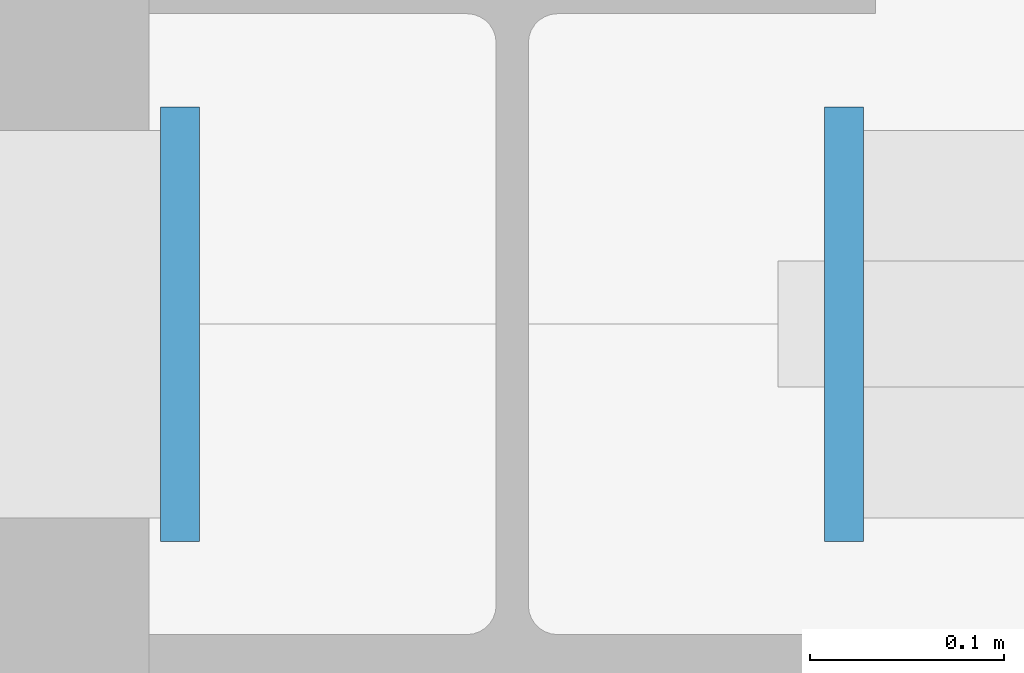
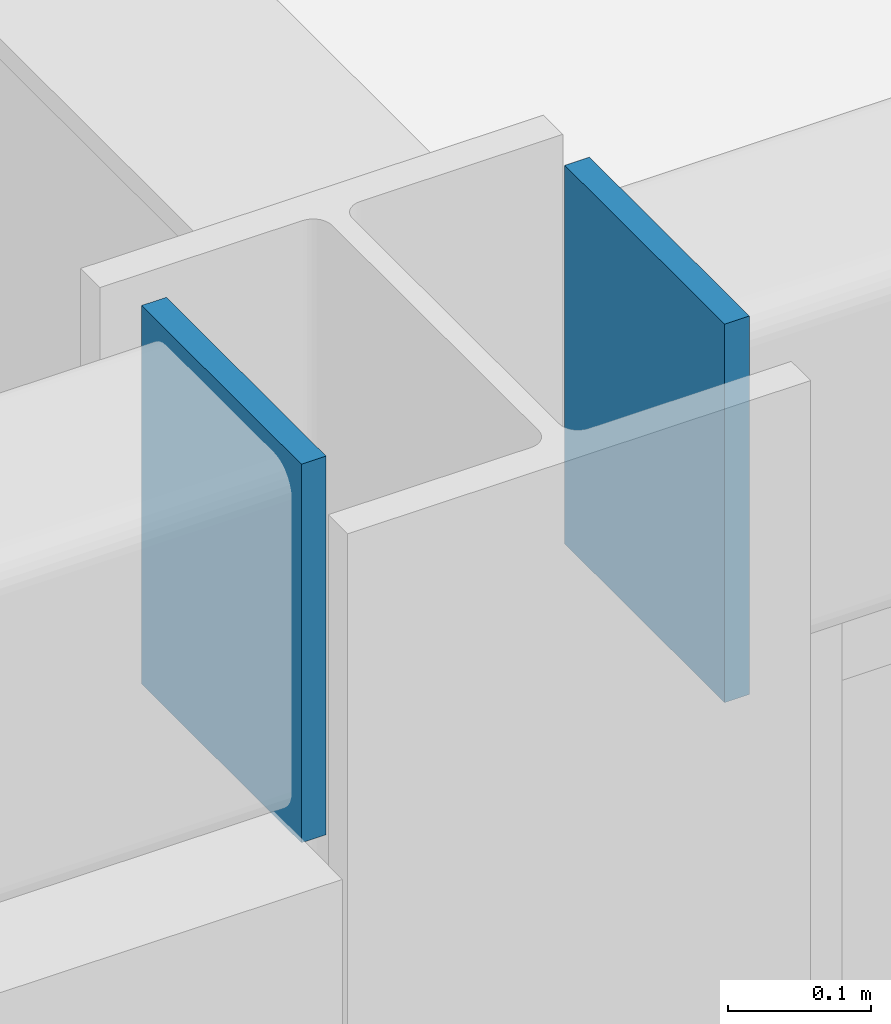
# One storey, part 61 of 96: 2 discrete accessories.
"""IFC4 building model written with IfcOpenShell, lengths in metres."""

from ifc_helpers import new_model, si_unit, direction, frame, origin, origin_2d, place, context, subcontext, project, spatial, rectangle, extrude, material, layer, layer_set, type_object, element, save


model = new_model("IFC4")

# Units and contexts
model_context = context("Model", 3, precision=1e-05, world=origin(), true_north=direction((0.0, 1.0)))
body_context = subcontext(model_context, "Body", "Model", "MODEL_VIEW")
ifc_project = project(units=[si_unit("LENGTHUNIT", "METRE"), si_unit("AREAUNIT", "SQUARE_METRE"), si_unit("VOLUMEUNIT", "CUBIC_METRE"), si_unit("PLANEANGLEUNIT", "RADIAN"), si_unit("MASSUNIT", "GRAM", prefix="KILO")], contexts=[model_context])

# Site, building, storey
site_placement = place(None, origin())
site = spatial("IfcSite", under=ifc_project, at=site_placement, CompositionType="ELEMENT")
building_placement = place(site_placement, origin())
building = spatial("IfcBuilding", under=site, at=building_placement, Name="Kranzveld Transit Interchange", CompositionType="ELEMENT")
storey_placement = place(building_placement, frame((0.0, 0.0, 9.52001953125)))
storey = spatial("IfcBuildingStorey", under=building, at=storey_placement, Name="L02", CompositionType="ELEMENT", Elevation=9.52001953125)

# Discrete accessories
ifc_material = material(Name="Steel S355JR", Category="steel")
ifc_layer = layer(ifc_material, 0.02001953125)
ifc_layer_set = layer_set([ifc_layer], Name="Steel S355JR")
discrete_accessory_type = type_object("IfcDiscreteAccessoryType", Name="Hollow Section End Cap Bracket 20 S355JR", PredefinedType="BRACKET", material=ifc_layer_set)
for number, where, z_axis, x_axis, name in (
    (1, (58.61865234375, 24.0, 3.419921875), (1.0, 0.0, 0.0), (0.0, 1.0, 0.0), "Hollow Section End Cap SP-RHS300-2"),
    (2, (58.981201171875, 24.0, 3.419921875), (-1.0, 0.0, 0.0), (0.0, -1.0, 0.0), "Hollow Section End Cap SP-RHS300-1"),
):
    element("IfcDiscreteAccessory", number, at=place(storey_placement, frame(where, z_axis=z_axis, x_axis=x_axis)), inside=storey, type_object=discrete_accessory_type, Name=name, PredefinedType="BRACKET", context=body_context, shape_type="SweptSolid", body=[
        extrude(rectangle(XDim=0.22412109375, YDim=0.323974609375, at=origin_2d()), origin(), (0.0, 0.0, 1.0), 0.02001953125),
    ])

save(model, "model.ifc")
